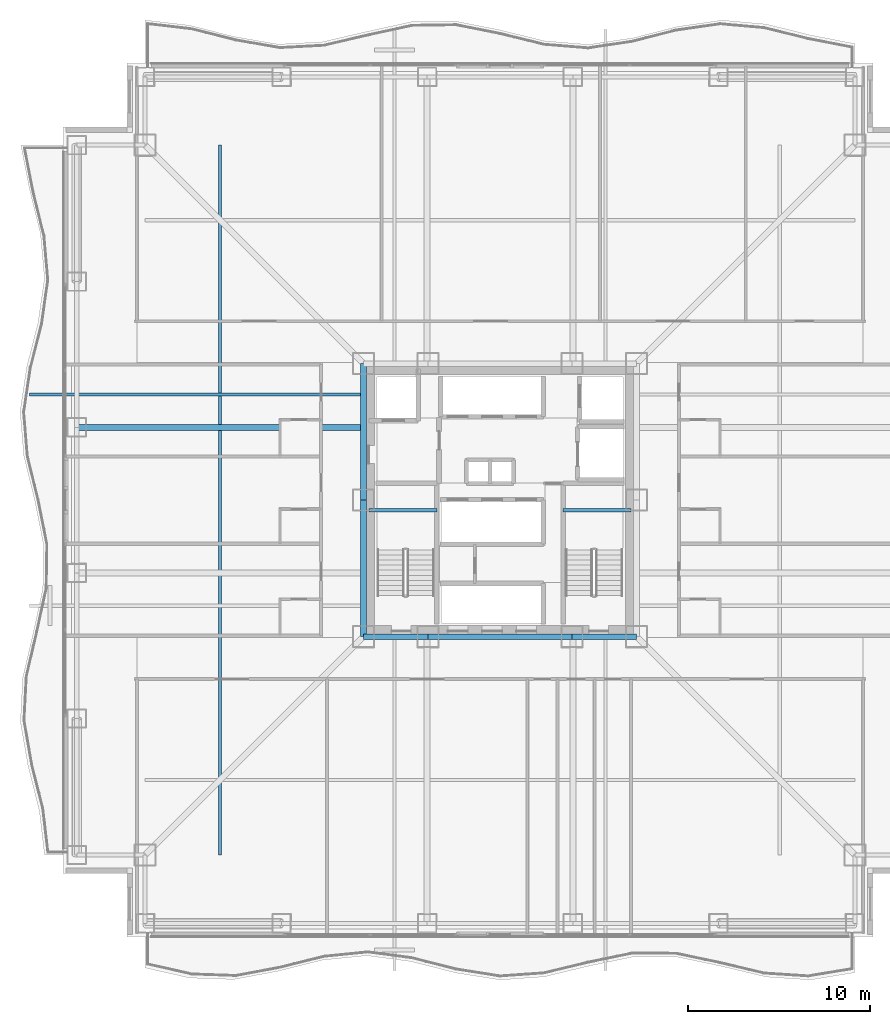
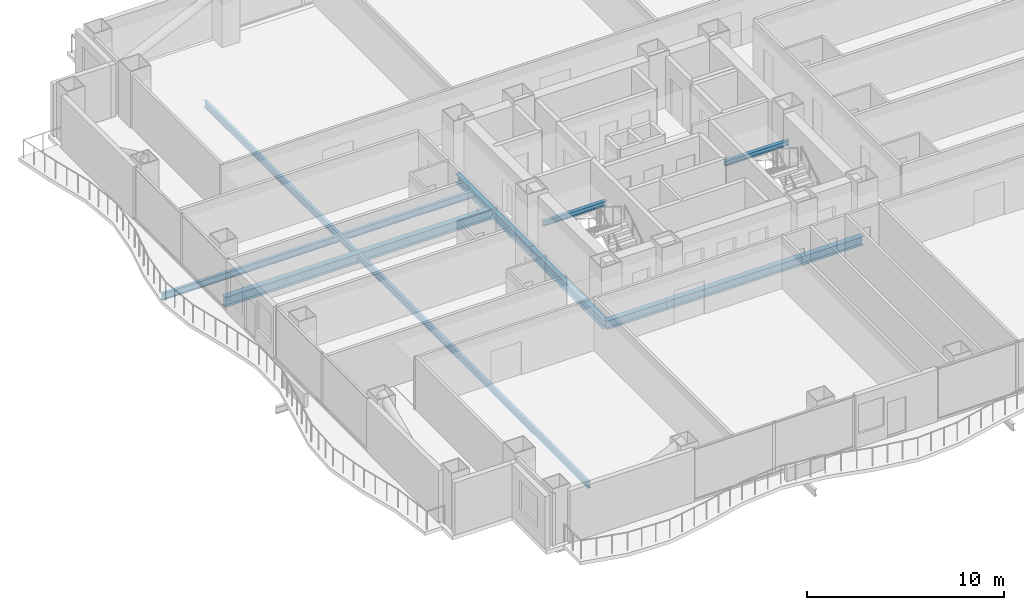
# One storey, part 5 of 24: 10 beams.
"""IFC4 building model written with IfcOpenShell, lengths in metres."""

from ifc_helpers import new_model, si_unit, direction, frame, origin, origin_2d, place, context, subcontext, project, spatial, i_section, extrude, material, material_profile, profile_set, type_object, element, save


model = new_model("IFC4")

# Units and contexts
model_context = context("Model", 3, precision=1e-05, world=origin(), true_north=direction((0.0, 1.0)))
body_context = subcontext(model_context, "Body", "Model", "MODEL_VIEW")
ifc_project = project(units=[si_unit("LENGTHUNIT", "METRE"), si_unit("AREAUNIT", "SQUARE_METRE"), si_unit("VOLUMEUNIT", "CUBIC_METRE"), si_unit("PLANEANGLEUNIT", "RADIAN"), si_unit("MASSUNIT", "GRAM", prefix="KILO")], contexts=[model_context])

# Site, building, storey
site_placement = place(None, origin())
site = spatial("IfcSite", under=ifc_project, at=site_placement, CompositionType="ELEMENT")
building_placement = place(site_placement, origin())
building = spatial("IfcBuilding", under=site, at=building_placement, Name="Trevonay Congress Spire", CompositionType="ELEMENT")
storey_placement = place(building_placement, frame((0.0, 0.0, 55.0)))
storey = spatial("IfcBuildingStorey", under=building, at=storey_placement, Name="L13", CompositionType="ELEMENT", Elevation=55.0)

# Beams
ifc_material = material(Name="Steel ASTM A572 Grade 50", Category="steel")
ifc_material_profile_1 = material_profile(ifc_material, i_section(OverallWidth=0.31201171875, OverallDepth=0.54296875, WebThickness=0.0126953125, FlangeThickness=0.020263671875, FilletRadius=0.014892578125, at=origin_2d()), Name="W530x150")
ifc_profile_set_1 = profile_set([ifc_material_profile_1], Name="Steel ASTM A572 Grade 50")
beam_type_1 = type_object("IfcBeamType", Name="BM-GIRD-W530X150", PredefinedType="BEAM", material=ifc_profile_set_1)
beam_1_placement = place(storey_placement, frame((-7.5, -7.5, -0.521484375), z_axis=(1.0, 0.0, 0.0), x_axis=(0.0, 1.0, 0.0)))
element("IfcBeam", 1, at=beam_1_placement, inside=storey, type_object=beam_type_1, Name="L13 structural beam BM-L13-CR-S1", PredefinedType="BEAM", context=body_context, shape_type="SweptSolid", body=[
    extrude(i_section(OverallWidth=0.31201171875, OverallDepth=0.54296875, WebThickness=0.0126953125, FlangeThickness=0.020263671875, FilletRadius=0.014892578125, at=origin_2d()), origin(), (0.0, 0.0, 1.0), 3.550048828125),
])
beam_2_placement = place(storey_placement, frame((-3.949951171875, -7.5, -0.521484375), z_axis=(1.0, 0.0, 0.0), x_axis=(0.0, 1.0, 0.0)))
element("IfcBeam", 2, at=beam_2_placement, inside=storey, type_object=beam_type_1, Name="L13 structural beam BM-L13-CR-S2", PredefinedType="BEAM", context=body_context, shape_type="SweptSolid", body=[
    extrude(i_section(OverallWidth=0.31201171875, OverallDepth=0.54296875, WebThickness=0.0126953125, FlangeThickness=0.020263671875, FilletRadius=0.014892578125, at=origin_2d()), origin(), (0.0, 0.0, 1.0), 7.89990234375),
])
beam_3_placement = place(storey_placement, frame((3.949951171875, -7.5, -0.521484375), z_axis=(1.0, 0.0, 0.0), x_axis=(0.0, 1.0, 0.0)))
element("IfcBeam", 3, at=beam_3_placement, inside=storey, type_object=beam_type_1, Name="L13 structural beam BM-L13-CR-S3", PredefinedType="BEAM", context=body_context, shape_type="SweptSolid", body=[
    extrude(i_section(OverallWidth=0.31201171875, OverallDepth=0.54296875, WebThickness=0.0126953125, FlangeThickness=0.020263671875, FilletRadius=0.014892578125, at=origin_2d()), origin(), (0.0, 0.0, 1.0), 3.550048828125),
])
for number, where, z_axis, x_axis, name in (
    (4, (-7.5, -7.5, -0.521484375), (0.0, 1.0, 0.0), (-1.0, 0.0, 0.0), "L13 structural beam BM-L13-CR-W1"),
    (5, (-7.5, 0.0, -0.521484375), (0.0, 1.0, 0.0), (-1.0, 0.0, 0.0), "L13 structural beam BM-L13-CR-W2"),
):
    element("IfcBeam", number, at=place(storey_placement, frame(where, z_axis=z_axis, x_axis=x_axis)), inside=storey, type_object=beam_type_1, Name=name, PredefinedType="BEAM", context=body_context, shape_type="SweptSolid", body=[
        extrude(i_section(OverallWidth=0.31201171875, OverallDepth=0.54296875, WebThickness=0.0126953125, FlangeThickness=0.020263671875, FilletRadius=0.014892578125, at=origin_2d()), origin(), (0.0, 0.0, 1.0), 7.5),
    ])
ifc_material_profile_2 = material_profile(ifc_material, i_section(OverallWidth=0.324951171875, OverallDepth=0.615966796875, WebThickness=0.013916015625, FlangeThickness=0.021484375, FilletRadius=0.01806640625, at=origin_2d()), Name="W610x174")
ifc_profile_set_2 = profile_set([ifc_material_profile_2], Name="Steel ASTM A572 Grade 50")
beam_type_2 = type_object("IfcBeamType", Name="BM-GIRD-W610X174", PredefinedType="BEAM", material=ifc_profile_set_2)
beam_4_placement = place(storey_placement, frame((-7.5, 4.0, -0.55810546875), z_axis=(-1.0, 0.0, 0.0), x_axis=(0.0, -1.0, 0.0)))
element("IfcBeam", 6, at=beam_4_placement, inside=storey, type_object=beam_type_2, Name="L13 structural beam BM-L13-GW-P", PredefinedType="BEAM", context=body_context, shape_type="SweptSolid", body=[
    extrude(i_section(OverallWidth=0.324951171875, OverallDepth=0.615966796875, WebThickness=0.013916015625, FlangeThickness=0.021484375, FilletRadius=0.01806640625, at=origin_2d()), origin(), (0.0, 0.0, 1.0), 15.75),
])
ifc_material_profile_3 = material_profile(ifc_material, i_section(OverallWidth=0.180908203125, OverallDepth=0.4169921875, WebThickness=0.010986328125, FlangeThickness=0.018310546875, FilletRadius=0.012939453125, at=origin_2d()), Name="W410x85")
ifc_profile_set_3 = profile_set([ifc_material_profile_3], Name="Steel ASTM A572 Grade 50")
beam_type_3 = type_object("IfcBeamType", Name="BM-WAV-LOOKOUT", PredefinedType="BEAM", material=ifc_profile_set_3)
beam_5_placement = place(storey_placement, frame((-7.5, 5.800048828125, -0.45849609375), z_axis=(-1.0, 0.0, 0.0), x_axis=(0.0, -1.0, 0.0)))
element("IfcBeam", 7, at=beam_5_placement, inside=storey, type_object=beam_type_3, Name="L13 structural beam WLK-L13-W2", PredefinedType="BEAM", context=body_context, shape_type="SweptSolid", body=[
    extrude(i_section(OverallWidth=0.180908203125, OverallDepth=0.4169921875, WebThickness=0.010986328125, FlangeThickness=0.018310546875, FilletRadius=0.012939453125, at=origin_2d()), origin(), (0.0, 0.0, 1.0), 18.35009765625),
])
ifc_material_profile_4 = material_profile(ifc_material, i_section(OverallWidth=0.177978515625, OverallDepth=0.406982421875, WebThickness=0.0078125, FlangeThickness=0.0126953125, FilletRadius=0.012939453125, at=origin_2d()), Name="W410x60")
ifc_profile_set_4 = profile_set([ifc_material_profile_4], Name="Steel ASTM A572 Grade 50")
beam_type_4 = type_object("IfcBeamType", Name="JS-COMP-W410X60", PredefinedType="JOIST", material=ifc_profile_set_4)
beam_6_placement = place(storey_placement, frame((-15.375, -19.5, -0.45361328125), z_axis=(0.0, 1.0, 0.0), x_axis=(-1.0, 0.0, 0.0)))
element("IfcBeam", 8, at=beam_6_placement, inside=storey, type_object=beam_type_4, Name="L13 structural beam JS-L13-RING-W", PredefinedType="JOIST", context=body_context, shape_type="SweptSolid", body=[
    extrude(i_section(OverallWidth=0.177978515625, OverallDepth=0.406982421875, WebThickness=0.0078125, FlangeThickness=0.0126953125, FilletRadius=0.012939453125, at=origin_2d()), origin(), (0.0, 0.0, 1.0), 39.0),
])
ifc_material_profile_5 = material_profile(ifc_material, i_section(OverallWidth=0.2041015625, OverallDepth=0.305908203125, WebThickness=0.008544921875, FlangeThickness=0.0146484375, FilletRadius=0.010986328125, at=origin_2d()), Name="W310x67")
ifc_profile_set_5 = profile_set([ifc_material_profile_5], Name="Steel ASTM A572 Grade 50")
beam_type_5 = type_object("IfcBeamType", Name="LN-CORE-W310X67", PredefinedType="LINTEL", material=ifc_profile_set_5)
for number, where, z_axis, x_axis, name in (
    (9, (-7.199951171875, -0.550048828125, 1.39697265625), (1.0, 0.0, 0.0), (0.0, 1.0, 0.0), "L13 structural beam BM-L13-HL-ST1"),
    (10, (3.449951171875, -0.550048828125, 1.39697265625), (1.0, 0.0, 0.0), (0.0, 1.0, 0.0), "L13 structural beam BM-L13-HL-ST2"),
):
    element("IfcBeam", number, at=place(storey_placement, frame(where, z_axis=z_axis, x_axis=x_axis)), inside=storey, type_object=beam_type_5, Name=name, PredefinedType="LINTEL", context=body_context, shape_type="SweptSolid", body=[
        extrude(i_section(OverallWidth=0.2041015625, OverallDepth=0.305908203125, WebThickness=0.008544921875, FlangeThickness=0.0146484375, FilletRadius=0.010986328125, at=origin_2d()), origin(), (0.0, 0.0, 1.0), 3.75),
    ])

save(model, "model.ifc")
